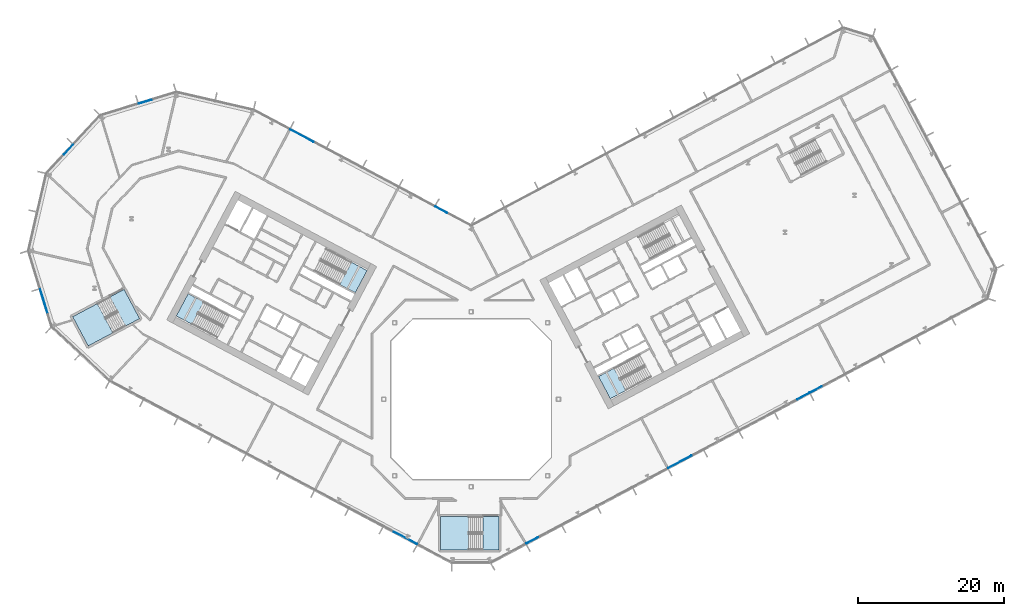
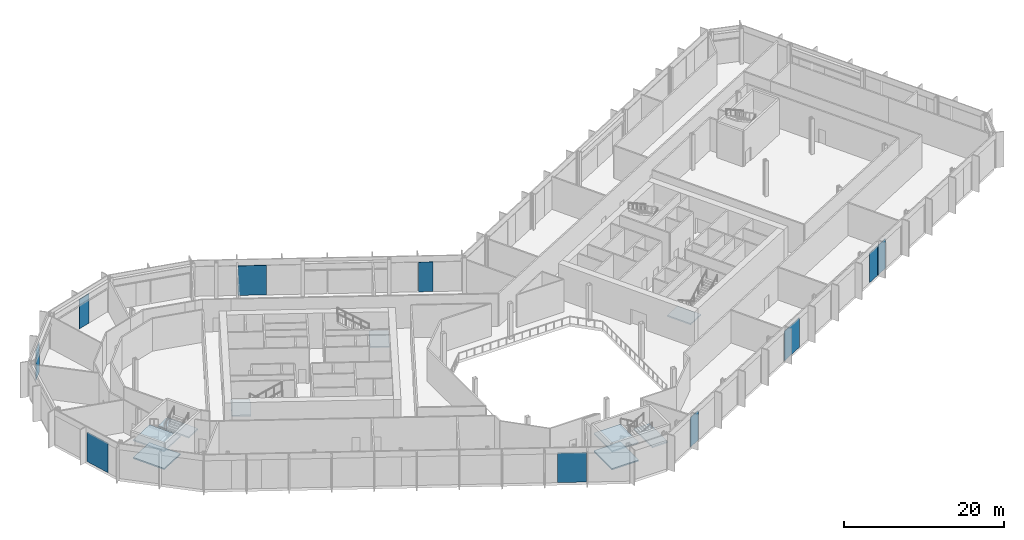
# One storey, part 9 of 31: 10 plates, 9 slabs, 11 elements without a shape of their own.
"""IFC4 building model written with IfcOpenShell, lengths in metres."""

from ifc_helpers import new_model, si_unit, direction, frame, origin, origin_2d, place, context, subcontext, project, spatial, polyline, rectangle, outline, extrude, material, layer, layer_set, type_object, element, aggregate, save


model = new_model("IFC4")

# Units and contexts
model_context = context("Model", 3, precision=1e-05, world=origin(), true_north=direction((0.0, 1.0)))
body_context = subcontext(model_context, "Body", "Model", "MODEL_VIEW")
ifc_project = project(units=[si_unit("LENGTHUNIT", "METRE"), si_unit("AREAUNIT", "SQUARE_METRE"), si_unit("VOLUMEUNIT", "CUBIC_METRE"), si_unit("PLANEANGLEUNIT", "RADIAN"), si_unit("MASSUNIT", "GRAM", prefix="KILO")], contexts=[model_context])

# Site, building, storey
site_placement = place(None, origin())
site = spatial("IfcSite", under=ifc_project, at=site_placement, CompositionType="ELEMENT")
building_placement = place(site_placement, origin())
building = spatial("IfcBuilding", under=site, at=building_placement, Name="Cormorant Relay Tower", CompositionType="ELEMENT")
storey_placement = place(building_placement, frame((0.0, 0.0, 23.0)))
storey = spatial("IfcBuildingStorey", under=building, at=storey_placement, Name="L04", CompositionType="ELEMENT", Elevation=23.0)

# Curtain wall, plates
ifc_material_1 = material(Name="Aluminium 6063-T6 anodised bronze", Category="aluminium")
ifc_layer_1 = layer(ifc_material_1, 0.235107421875)
ifc_layer_set_1 = layer_set([ifc_layer_1], Name="CW6 data hall curtain wall with mineral wool panels")
curtain_wall_type = type_object("IfcCurtainWallType", Name="CW6 data hall curtain wall with mineral wool panels", PredefinedType="NOTDEFINED", material=ifc_layer_set_1)
curtain_wall_1_placement = place(storey_placement, origin())
curtain_wall_1 = element("IfcCurtainWall", 1, at=curtain_wall_1_placement, inside=storey, type_object=curtain_wall_type, Name="CW6 curtain wall 2", PredefinedType="NOTDEFINED")
ifc_material_2 = material(Name="Tinted triple-glazed laminated unit")
ifc_layer_2 = layer(ifc_material_2, 0.074951171875)
ifc_layer_set_2 = layer_set([ifc_layer_2], Name="CW6 triple-glazed vision unit 1800 module")
plate_type_1 = type_object("IfcPlateType", Name="CW6 triple-glazed vision unit 1800 module", PredefinedType="CURTAIN_PANEL", material=ifc_layer_set_2)
plate_1_placement = place(storey_placement, frame((8.39404296875, -19.36328125, 0.0), z_axis=(0.0, 0.0, 1.0), x_axis=(0.882947592859, 0.469471562786, 0.0)))
plate_1 = element("IfcPlate", 2, at=plate_1_placement, type_object=plate_type_1, Name="CW6 panel V01", PredefinedType="CURTAIN_PANEL", context=body_context, shape_type="SweptSolid", body=[
    extrude(rectangle(XDim=1.800048828125, YDim=0.074951171875, at=origin_2d()), origin(), (0.0, 0.0, 1.0), 4.5),
])
plate_2_placement = place(storey_placement, frame((45.605712890625, 0.422607421875, 0.0), z_axis=(0.0, 0.0, 1.0), x_axis=(0.882947592859, 0.469471562786, 0.0)))
plate_2 = element("IfcPlate", 3, at=plate_2_placement, type_object=plate_type_1, Name="CW6 panel V08", PredefinedType="CURTAIN_PANEL", context=body_context, shape_type="SweptSolid", body=[
    extrude(rectangle(XDim=1.800048828125, YDim=0.074951171875, at=origin_2d()), origin(), (0.0, 0.0, 1.0), 4.5),
])
plate_3_placement = place(storey_placement, frame((47.327392578125, 1.337890625, 0.0), z_axis=(0.0, 0.0, 1.0), x_axis=(0.882947592859, 0.469471562786, 0.0)))
plate_3 = element("IfcPlate", 4, at=plate_3_placement, type_object=plate_type_1, Name="CW6 panel V09", PredefinedType="CURTAIN_PANEL", context=body_context, shape_type="SweptSolid", body=[
    extrude(rectangle(XDim=1.800048828125, YDim=0.074951171875, at=origin_2d()), origin(), (0.0, 0.0, 1.0), 4.5),
])

# Curtain wall, plate
curtain_wall_2_placement = place(storey_placement, origin())
curtain_wall_2 = element("IfcCurtainWall", 5, at=curtain_wall_2_placement, inside=storey, type_object=curtain_wall_type, Name="CW6 curtain wall 7", PredefinedType="NOTDEFINED")
plate_4_placement = place(storey_placement, frame((-4.1005859375, 26.006591796875, 0.0), z_axis=(0.0, 0.0, 1.0), x_axis=(-0.882947592859, 0.469471562786, 0.0)))
plate_4 = element("IfcPlate", 6, at=plate_4_placement, type_object=plate_type_1, Name="CW6 panel V01", PredefinedType="CURTAIN_PANEL", context=body_context, shape_type="SweptSolid", body=[
    extrude(rectangle(XDim=1.800048828125, YDim=0.074951171875, at=origin_2d()), origin(), (0.0, 0.0, 1.0), 4.5),
])

curtain_wall_3_placement = place(storey_placement, origin())
curtain_wall_3 = element("IfcCurtainWall", 7, at=curtain_wall_3_placement, inside=storey, type_object=curtain_wall_type, Name="CW6 curtain wall 9", PredefinedType="NOTDEFINED")
plate_5_placement = place(storey_placement, frame((-44.74169921875, 40.84521484375, 0.0), z_axis=(0.0, 0.0, 1.0), x_axis=(-0.956304755963, -0.292371704723, 0.0)))
plate_5 = element("IfcPlate", 8, at=plate_5_placement, type_object=plate_type_1, Name="CW6 panel V01", PredefinedType="CURTAIN_PANEL", context=body_context, shape_type="SweptSolid", body=[
    extrude(rectangle(XDim=1.800048828125, YDim=0.074951171875, at=origin_2d()), origin(), (0.0, 0.0, 1.0), 4.5),
])
aggregate(curtain_wall_3, [plate_5])

curtain_wall_4_placement = place(storey_placement, origin())
curtain_wall_4 = element("IfcCurtainWall", 9, at=curtain_wall_4_placement, inside=storey, type_object=curtain_wall_type, Name="CW6 curtain wall 10", PredefinedType="NOTDEFINED")
plate_6_placement = place(storey_placement, frame((-55.260009765625, 34.272705078125, 0.0), z_axis=(0.0, 0.0, 1.0), x_axis=(-0.681998360062, -0.731353701619, 0.0)))
plate_6 = element("IfcPlate", 10, at=plate_6_placement, type_object=plate_type_1, Name="CW6 panel V01", PredefinedType="CURTAIN_PANEL", context=body_context, shape_type="SweptSolid", body=[
    extrude(rectangle(XDim=1.800048828125, YDim=0.074951171875, at=origin_2d()), origin(), (0.0, 0.0, 1.0), 4.5),
])
aggregate(curtain_wall_4, [plate_6])

# Plate
ifc_material_3 = material(Name="Tinted triple-glazed laminated unit")
ifc_layer_3 = layer(ifc_material_3, 0.074951171875)
ifc_layer_set_3 = layer_set([ifc_layer_3], Name="CW6 triple-glazed vision unit 3600 module")
plate_type_2 = type_object("IfcPlateType", Name="CW6 triple-glazed vision unit 3600 module", PredefinedType="CURTAIN_PANEL", material=ifc_layer_set_3)
plate_7_placement = place(storey_placement, frame((28.6552734375, -8.590087890625, 0.0), z_axis=(0.0, 0.0, 1.0), x_axis=(0.882947592859, 0.469471562786, 0.0)))
plate_7 = element("IfcPlate", 11, at=plate_7_placement, type_object=plate_type_2, Name="CW6 panel V05", PredefinedType="CURTAIN_PANEL", context=body_context, shape_type="SweptSolid", body=[
    extrude(rectangle(XDim=3.60009765625, YDim=0.074951171875, at=origin_2d()), origin(), (0.0, 0.0, 1.0), 4.5),
])

aggregate(curtain_wall_1, [plate_1, plate_7, plate_2, plate_3])

plate_8_placement = place(storey_placement, frame((-23.2216796875, 36.173583984375, 0.0), z_axis=(0.0, 0.0, 1.0), x_axis=(-0.882947592859, 0.469471562786, 0.0)))
plate_8 = element("IfcPlate", 12, at=plate_8_placement, type_object=plate_type_2, Name="CW6 panel V05", PredefinedType="CURTAIN_PANEL", context=body_context, shape_type="SweptSolid", body=[
    extrude(rectangle(XDim=3.60009765625, YDim=0.074951171875, at=origin_2d()), origin(), (0.0, 0.0, 1.0), 4.5),
])

aggregate(curtain_wall_2, [plate_4, plate_8])

# Curtain wall, plate
curtain_wall_5_placement = place(storey_placement, origin())
curtain_wall_5 = element("IfcCurtainWall", 13, at=curtain_wall_5_placement, inside=storey, type_object=curtain_wall_type, Name="CW6 curtain wall 12", PredefinedType="NOTDEFINED")
plate_9_placement = place(storey_placement, frame((-58.618408203125, 13.3916015625, 0.0), z_axis=(0.0, 0.0, 1.0), x_axis=(0.292371704723, -0.956304755963, 0.0)))
plate_9 = element("IfcPlate", 14, at=plate_9_placement, type_object=plate_type_2, Name="CW6 panel V01", PredefinedType="CURTAIN_PANEL", context=body_context, shape_type="SweptSolid", body=[
    extrude(rectangle(XDim=3.60009765625, YDim=0.074951171875, at=origin_2d()), origin(), (0.0, 0.0, 1.0), 4.5),
])
aggregate(curtain_wall_5, [plate_9])

curtain_wall_6_placement = place(storey_placement, origin())
curtain_wall_6 = element("IfcCurtainWall", 15, at=curtain_wall_6_placement, inside=storey, type_object=curtain_wall_type, Name="CW6 curtain wall 14", PredefinedType="NOTDEFINED")
plate_10_placement = place(storey_placement, frame((-9.01611328125, -19.032470703125, 0.0), z_axis=(0.0, 0.0, 1.0), x_axis=(0.882947592859, -0.469471562786, 0.0)))
plate_10 = element("IfcPlate", 16, at=plate_10_placement, type_object=plate_type_2, Name="CW6 panel V08", PredefinedType="CURTAIN_PANEL", context=body_context, shape_type="SweptSolid", body=[
    extrude(rectangle(XDim=3.60009765625, YDim=0.074951171875, at=origin_2d()), origin(), (0.0, 0.0, 1.0), 4.5),
])
aggregate(curtain_wall_6, [plate_10])

# Stair, slab
ifc_material_4 = material(Name="Concrete 40 MPa", Category="concrete")
stair_type_1 = type_object("IfcStairType", Name="Exit stair 1500", PredefinedType="HALF_TURN_STAIR", material=ifc_material_4)
stair_1_placement = place(storey_placement, origin())
stair_1 = element("IfcStair", 17, at=stair_1_placement, inside=storey, type_object=stair_type_1, Name="L04 Stair", PredefinedType="HALF_TURN_STAIR")
ifc_material_5 = material(Name="Concrete 40 MPa", Category="concrete")
ifc_layer_4 = layer(ifc_material_5, 0.199951171875)
ifc_layer_set_4 = layer_set([ifc_layer_4], Name="Exit stair landing 200")
slab_type = type_object("IfcSlabType", Name="Exit stair landing 200", PredefinedType="LANDING", material=ifc_layer_set_4)
slab_1_placement = place(storey_placement, frame((0.0, 0.0, 2.5)))
slab_1 = element("IfcSlab", 18, at=slab_1_placement, type_object=slab_type, Name="A1 landing 1", PredefinedType="LANDING", context=body_context, shape_type="SweptSolid", body=[
    extrude(outline(polyline([(-18.04052734375, 15.764892578125), (-15.89501953125, 14.6240234375), (-14.275390625, 17.670166015625), (-16.4208984375, 18.81103515625), (-18.04052734375, 15.764892578125)])), origin(), (0.0, 0.0, 1.0), 0.199951171875),
])
aggregate(stair_1, [slab_1])

stair_2_placement = place(storey_placement, origin())
stair_2 = element("IfcStair", 19, at=stair_2_placement, inside=storey, type_object=stair_type_1, Name="L04 Stair", PredefinedType="HALF_TURN_STAIR")
slab_2_placement = place(storey_placement, frame((0.0, 0.0, 2.5)))
slab_2 = element("IfcSlab", 20, at=slab_2_placement, type_object=slab_type, Name="A2 landing 1", PredefinedType="LANDING", context=body_context, shape_type="SweptSolid", body=[
    extrude(outline(polyline([(-36.7021484375, 13.34228515625), (-38.84765625, 14.483154296875), (-40.467529296875, 11.43701171875), (-38.32177734375, 10.296142578125), (-36.7021484375, 13.34228515625)])), origin(), (0.0, 0.0, 1.0), 0.199951171875),
])
aggregate(stair_2, [slab_2])

stair_3_placement = place(storey_placement, origin())
stair_3 = element("IfcStair", 21, at=stair_3_placement, inside=storey, type_object=stair_type_1, Name="L04 Stair", PredefinedType="HALF_TURN_STAIR")
slab_3_placement = place(storey_placement, frame((0.0, 0.0, 2.5)))
slab_3 = element("IfcSlab", 22, at=slab_3_placement, type_object=slab_type, Name="B1 landing 1", PredefinedType="LANDING", context=body_context, shape_type="SweptSolid", body=[
    extrude(outline(polyline([(19.6259765625, 4.262939453125), (17.48046875, 3.1220703125), (19.10009765625, 0.075927734375), (21.24560546875, 1.216552734375), (19.6259765625, 4.262939453125)])), origin(), (0.0, 0.0, 1.0), 0.199951171875),
])
aggregate(stair_3, [slab_3])

# Stair, slabs
ifc_material_6 = material(Name="Concrete 40 MPa", Category="concrete")
stair_type_2 = type_object("IfcStairType", Name="Remote exit stair 2200", PredefinedType="HALF_TURN_STAIR", material=ifc_material_6)
stair_4_placement = place(storey_placement, origin())
stair_4 = element("IfcStair", 23, at=stair_4_placement, inside=storey, type_object=stair_type_2, Name="L04 Stair", PredefinedType="HALF_TURN_STAIR")
slab_4_placement = place(storey_placement, frame((0.0, 0.0, 1.14990234375)))
slab_4 = element("IfcSlab", 24, at=slab_4_placement, type_object=slab_type, Name="RK1 landing 1", PredefinedType="LANDING", context=body_context, shape_type="SweptSolid", body=[
    extrude(outline(polyline([(-0.360107421875, -16.125), (-4.199951171875, -16.125), (-4.199951171875, -20.675048828125), (-0.360107421875, -20.675048828125), (-0.360107421875, -16.125)])), origin(), (0.0, 0.0, 1.0), 0.2001953125),
])
slab_5_placement = place(storey_placement, frame((0.0, 0.0, 2.5)))
slab_5 = element("IfcSlab", 25, at=slab_5_placement, type_object=slab_type, Name="RK1 landing 2", PredefinedType="LANDING", context=body_context, shape_type="SweptSolid", body=[
    extrude(outline(polyline([(3.800048828125, -16.125), (1.60009765625, -16.125), (1.60009765625, -20.675048828125), (3.800048828125, -20.675048828125), (3.800048828125, -16.125)])), origin(), (0.0, 0.0, 1.0), 0.199951171875),
])
slab_6_placement = place(storey_placement, frame((0.0, 0.0, 3.85009765625)))
slab_6 = element("IfcSlab", 26, at=slab_6_placement, type_object=slab_type, Name="RK1 landing 3", PredefinedType="LANDING", context=body_context, shape_type="SweptSolid", body=[
    extrude(outline(polyline([(-0.360107421875, -16.125), (-4.199951171875, -16.125), (-4.199951171875, -20.675048828125), (-0.360107421875, -20.675048828125), (-0.360107421875, -16.125)])), origin(), (0.0, 0.0, 1.0), 0.199951171875),
])
aggregate(stair_4, [slab_4, slab_5, slab_6])

stair_5_placement = place(storey_placement, origin())
stair_5 = element("IfcStair", 27, at=stair_5_placement, inside=storey, type_object=stair_type_2, Name="L04 Stair", PredefinedType="HALF_TURN_STAIR")
slab_7_placement = place(storey_placement, frame((0.0, 0.0, 1.14990234375)))
slab_7 = element("IfcSlab", 28, at=slab_7_placement, type_object=slab_type, Name="RP1 landing 1", PredefinedType="LANDING", context=body_context, shape_type="SweptSolid", body=[
    extrude(outline(polyline([(-51.309326171875, 13.133544921875), (-54.699951171875, 11.330810546875), (-52.563720703125, 7.3134765625), (-49.17333984375, 9.1162109375), (-51.309326171875, 13.133544921875)])), origin(), (0.0, 0.0, 1.0), 0.2001953125),
])
slab_8_placement = place(storey_placement, frame((0.0, 0.0, 2.5)))
slab_8 = element("IfcSlab", 29, at=slab_8_placement, type_object=slab_type, Name="RP1 landing 2", PredefinedType="LANDING", context=body_context, shape_type="SweptSolid", body=[
    extrude(outline(polyline([(-47.63623046875, 15.086669921875), (-49.578857421875, 14.0537109375), (-47.442626953125, 10.036376953125), (-45.500244140625, 11.069091796875), (-47.63623046875, 15.086669921875)])), origin(), (0.0, 0.0, 1.0), 0.199951171875),
])
slab_9_placement = place(storey_placement, frame((0.0, 0.0, 3.85009765625)))
slab_9 = element("IfcSlab", 30, at=slab_9_placement, type_object=slab_type, Name="RP1 landing 3", PredefinedType="LANDING", context=body_context, shape_type="SweptSolid", body=[
    extrude(outline(polyline([(-51.309326171875, 13.133544921875), (-54.699951171875, 11.330810546875), (-52.563720703125, 7.3134765625), (-49.17333984375, 9.1162109375), (-51.309326171875, 13.133544921875)])), origin(), (0.0, 0.0, 1.0), 0.199951171875),
])
aggregate(stair_5, [slab_7, slab_8, slab_9])

save(model, "model.ifc")
